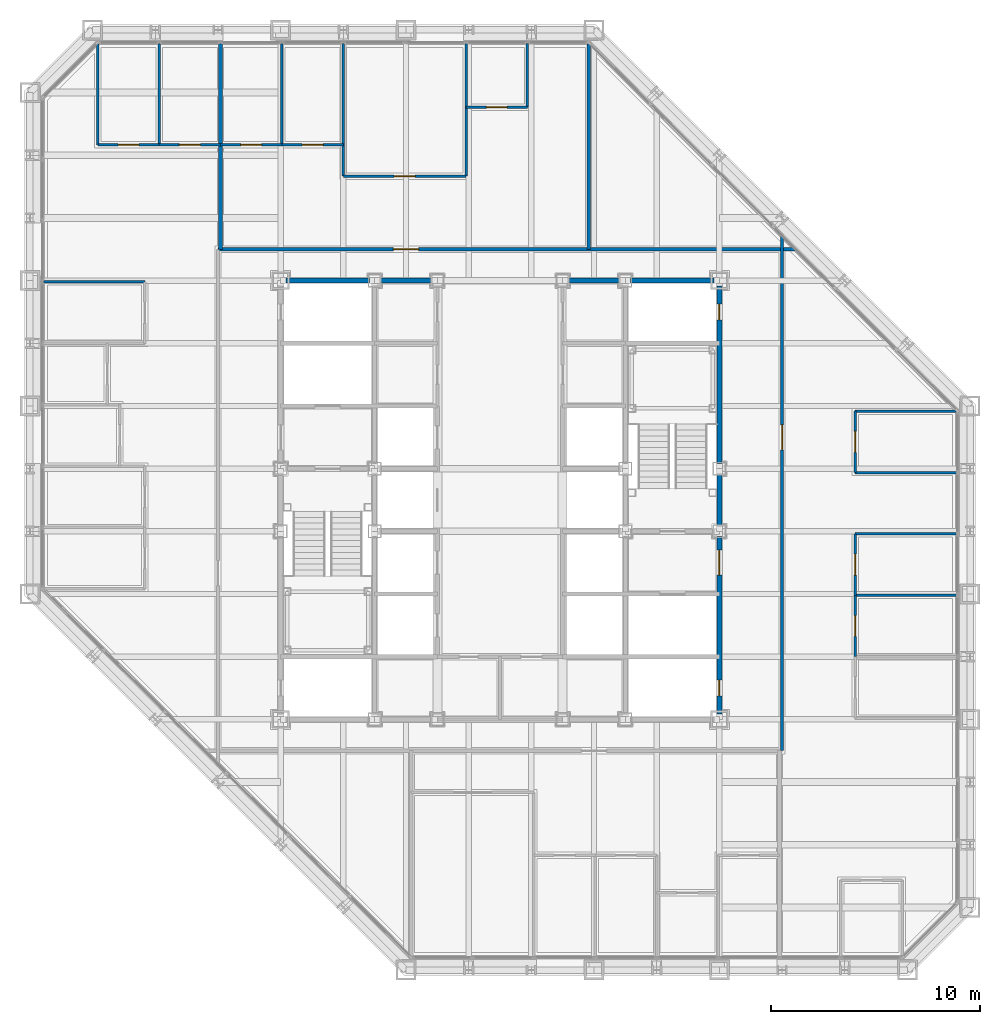
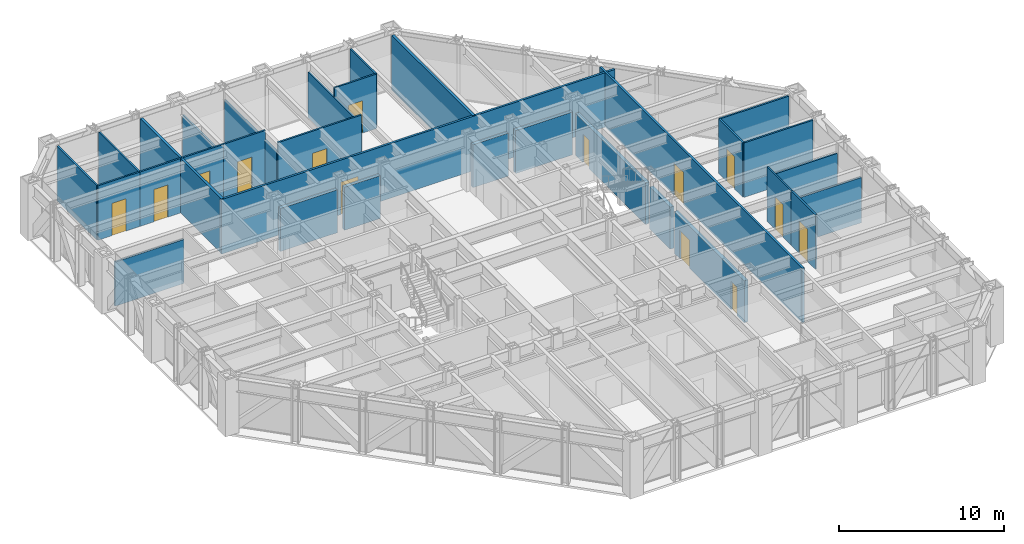
# One storey, part 12 of 16: 31 walls, 14 doors, 14 openings.
"""IFC4 building model written with IfcOpenShell, lengths in metres."""

from ifc_helpers import new_model, si_unit, direction, frame, frame_2d, origin, place, context, subcontext, project, spatial, rectangle, extrude, material, layer, layer_set, type_object, element, fill, save


model = new_model("IFC4")

# Units and contexts
model_context = context("Model", 3, precision=1e-05, world=origin(), true_north=direction((0.0, 1.0)))
body_context = subcontext(model_context, "Body", "Model", "MODEL_VIEW")
ifc_project = project(units=[si_unit("LENGTHUNIT", "METRE"), si_unit("AREAUNIT", "SQUARE_METRE"), si_unit("VOLUMEUNIT", "CUBIC_METRE"), si_unit("PLANEANGLEUNIT", "RADIAN"), si_unit("MASSUNIT", "GRAM", prefix="KILO")], contexts=[model_context])

# Site, building, storey
site_placement = place(None, origin())
site = spatial("IfcSite", under=ifc_project, at=site_placement, CompositionType="ELEMENT")
building_placement = place(site_placement, origin())
building = spatial("IfcBuilding", under=site, at=building_placement, Name="Chuquiago Exchange Tower", CompositionType="ELEMENT")
storey_placement = place(building_placement, frame((0.0, 0.0, 140.39990234375)))
storey = spatial("IfcBuildingStorey", under=building, at=storey_placement, Name="L30", CompositionType="ELEMENT", Elevation=140.39990234375)

# Walls
ifc_material_1 = material(Name="Concrete masonry, fully grouted", Category="masonry")
ifc_layer_1 = layer(ifc_material_1, 0.25)
ifc_layer_set_1 = layer_set([ifc_layer_1], Name="W1 core wall 250")
wall_type_1 = type_object("IfcWallType", Name="W1 core wall 250", PredefinedType="SOLIDWALL", material=ifc_layer_set_1)
wall_1_placement = place(storey_placement, frame((12.25, 33.0, 0.0), z_axis=(0.0, 0.0, 1.0), x_axis=(1.0, 0.0, 0.0)))
element("IfcWall", 1, at=wall_1_placement, inside=storey, type_object=wall_type_1, Name="CW-L30-11-0", PredefinedType="SOLIDWALL", context=body_context, shape_type="SweptSolid", body=[
    extrude(rectangle(XDim=4.0, YDim=0.25, at=frame_2d((2.0, 0.0))), origin(), (0.0, 0.0, 1.0), 3.181640625),
])
for number, where, z_axis, x_axis, name in (
    (2, (16.75, 33.0, 0.0), (0.0, 0.0, 1.0), (1.0, 0.0, 0.0), "CW-L30-11-1"),
    (3, (25.75, 33.0, 0.0), (0.0, 0.0, 1.0), (1.0, 0.0, 0.0), "CW-L30-12-0"),
):
    element("IfcWall", number, at=place(storey_placement, frame(where, z_axis=z_axis, x_axis=x_axis)), inside=storey, type_object=wall_type_1, Name=name, PredefinedType="SOLIDWALL", context=body_context, shape_type="SweptSolid", body=[
        extrude(rectangle(XDim=2.5, YDim=0.25, at=frame_2d((1.25, 0.0))), origin(), (0.0, 0.0, 1.0), 3.181640625),
    ])
wall_2_placement = place(storey_placement, frame((28.75, 33.0, 0.0), z_axis=(0.0, 0.0, 1.0), x_axis=(1.0, 0.0, 0.0)))
element("IfcWall", 4, at=wall_2_placement, inside=storey, type_object=wall_type_1, Name="CW-L30-12-1", PredefinedType="SOLIDWALL", context=body_context, shape_type="SweptSolid", body=[
    extrude(rectangle(XDim=4.0, YDim=0.25, at=frame_2d((2.0, 0.0))), origin(), (0.0, 0.0, 1.0), 3.181640625),
])

# Wall, openings, doors
wall_3_placement = place(storey_placement, frame((33.0, 12.25, 0.0), z_axis=(0.0, 0.0, 1.0), x_axis=(0.0, 1.0, 0.0)))
wall_3 = element("IfcWall", 5, at=wall_3_placement, inside=storey, type_object=wall_type_1, Name="CW-L30-25-0", PredefinedType="SOLIDWALL", context=body_context, shape_type="SweptSolid", body=[
    extrude(rectangle(XDim=8.5, YDim=0.25, at=frame_2d((4.25, 0.0))), origin(), (0.0, 0.0, 1.0), 3.113037109375),
])
opening_1_placement = place(wall_3_placement, frame((6.64990234375, 0.0, 0.0)))
opening_1 = element("IfcOpeningElement", 6, at=opening_1_placement, cuts=wall_3, Name="Opening L30-004", PredefinedType="OPENING", context=body_context, shape_type="SweptSolid", body=[
    extrude(rectangle(XDim=1.199951171875, YDim=2.10009765625, at=frame_2d((0.60009765625, 1.050048828125))), frame((0.0, 0.135009765625, 0.0), z_axis=(0.0, -1.0, 0.0), x_axis=(1.0, 0.0, 0.0)), (0.0, 0.0, 1.0), 0.27001953125),
])
opening_2_placement = place(wall_3_placement, frame((0.875, 0.0, 0.0)))
opening_2 = element("IfcOpeningElement", 7, at=opening_2_placement, cuts=wall_3, Name="Opening L30-009", PredefinedType="OPENING", context=body_context, shape_type="SweptSolid", body=[
    extrude(rectangle(XDim=0.75, YDim=2.10009765625, at=frame_2d((0.375, 1.050048828125))), frame((0.0, 0.135009765625, 0.0), z_axis=(0.0, -1.0, 0.0), x_axis=(1.0, 0.0, 0.0)), (0.0, 0.0, 1.0), 0.27001953125),
])
ifc_material_2 = material(Name="Steel door, painted", Category="steel")
door_type_1 = type_object("IfcDoorType", Name="D5 firefighting lobby door 1200x2100", OperationType="SINGLE_SWING_LEFT", PredefinedType="DOOR", material=ifc_material_2)
door_1_placement = place(opening_1_placement, origin())
door_1 = element("IfcDoor", 8, at=door_1_placement, inside=storey, type_object=door_type_1, Name="Firefighting lobby 2 door", OperationType="SINGLE_SWING_RIGHT", OverallHeight=2.10009765625, OverallWidth=1.199951171875, PredefinedType="DOOR", context=body_context, shape_type="SweptSolid", body=[
    extrude(rectangle(XDim=1.199951171875, YDim=2.10009765625, at=frame_2d((0.60009765625, 1.050048828125))), frame((0.0, 0.02490234375, 0.0), z_axis=(0.0, -1.0, 0.0), x_axis=(1.0, 0.0, 0.0)), (0.0, 0.0, 1.0), 0.050048828125),
])
fill(opening_1, door_1)
ifc_material_3 = material(Name="Steel door, painted", Category="steel")
door_type_2 = type_object("IfcDoorType", Name="D6 riser access door 750x2100", OperationType="SINGLE_SWING_LEFT", PredefinedType="DOOR", material=ifc_material_3)
door_2_placement = place(opening_2_placement, frame((0.75, 0.0, 0.0), z_axis=(0.0, 0.0, 1.0), x_axis=(-1.0, 0.0, 0.0)))
door_2 = element("IfcDoor", 9, at=door_2_placement, inside=storey, type_object=door_type_2, Name="Riser RE1 door", OperationType="SINGLE_SWING_RIGHT", OverallHeight=2.10009765625, OverallWidth=0.75, PredefinedType="DOOR", context=body_context, shape_type="SweptSolid", body=[
    extrude(rectangle(XDim=0.75, YDim=2.10009765625, at=frame_2d((0.375, 1.050048828125))), frame((0.0, 0.02490234375, 0.0), z_axis=(0.0, -1.0, 0.0), x_axis=(1.0, 0.0, 0.0)), (0.0, 0.0, 1.0), 0.050048828125),
])
fill(opening_2, door_2)

# Wall
wall_4_placement = place(storey_placement, frame((33.0, 21.25, 0.0), z_axis=(0.0, 0.0, 1.0), x_axis=(0.0, 1.0, 0.0)))
element("IfcWall", 10, at=wall_4_placement, inside=storey, type_object=wall_type_1, Name="CW-L30-25-1", PredefinedType="SOLIDWALL", context=body_context, shape_type="SweptSolid", body=[
    extrude(rectangle(XDim=2.5, YDim=0.25, at=frame_2d((1.25, 0.0))), origin(), (0.0, 0.0, 1.0), 3.113037109375),
])

# Wall, opening, door
wall_5_placement = place(storey_placement, frame((33.0, 24.25, 0.0), z_axis=(0.0, 0.0, 1.0), x_axis=(0.0, 1.0, 0.0)))
wall_5 = element("IfcWall", 11, at=wall_5_placement, inside=storey, type_object=wall_type_1, Name="CW-L30-25-2", PredefinedType="SOLIDWALL", context=body_context, shape_type="SweptSolid", body=[
    extrude(rectangle(XDim=8.5, YDim=0.25, at=frame_2d((4.25, 0.0))), origin(), (0.0, 0.0, 1.0), 3.113037109375),
])
opening_3_placement = place(wall_5_placement, frame((6.875, 0.0, 0.0)))
opening_3 = element("IfcOpeningElement", 12, at=opening_3_placement, cuts=wall_5, Name="Opening L30-010", PredefinedType="OPENING", context=body_context, shape_type="SweptSolid", body=[
    extrude(rectangle(XDim=0.75, YDim=2.10009765625, at=frame_2d((0.375, 1.050048828125))), frame((0.0, 0.135009765625, 0.0), z_axis=(0.0, -1.0, 0.0), x_axis=(1.0, 0.0, 0.0)), (0.0, 0.0, 1.0), 0.27001953125),
])
door_3_placement = place(opening_3_placement, frame((0.75, 0.0, 0.0), z_axis=(0.0, 0.0, 1.0), x_axis=(-1.0, 0.0, 0.0)))
door_3 = element("IfcDoor", 13, at=door_3_placement, inside=storey, type_object=door_type_2, Name="Riser RE2 door", OperationType="SINGLE_SWING_LEFT", OverallHeight=2.10009765625, OverallWidth=0.75, PredefinedType="DOOR", context=body_context, shape_type="SweptSolid", body=[
    extrude(rectangle(XDim=0.75, YDim=2.10009765625, at=frame_2d((0.375, 1.050048828125))), frame((0.0, 0.02490234375, 0.0), z_axis=(0.0, -1.0, 0.0), x_axis=(1.0, 0.0, 0.0)), (0.0, 0.0, 1.0), 0.050048828125),
])
fill(opening_3, door_3)

ifc_material_4 = material(Name="Gypsum board on steel studs, acoustic insulation", Category="steel")
ifc_layer_2 = layer(ifc_material_4, 0.14990234375)
ifc_layer_set_2 = layer_set([ifc_layer_2], Name="W11 corridor wall 150")
wall_type_2 = type_object("IfcWallType", Name="W11 corridor wall 150", PredefinedType="PARTITIONING", material=ifc_layer_set_2)
wall_6_placement = place(storey_placement, frame((9.0, 34.5, 0.0), z_axis=(0.0, 0.0, 1.0), x_axis=(1.0, 0.0, 0.0)))
wall_6 = element("IfcWall", 14, at=wall_6_placement, inside=storey, type_object=wall_type_2, Name="PW-L30-CN", PredefinedType="PARTITIONING", context=body_context, shape_type="SweptSolid", body=[
    extrude(rectangle(XDim=27.614501953125, YDim=0.14990234375, at=frame_2d((13.80712890625, 0.0))), origin(), (0.0, 0.0, 1.0), 4.0400390625),
])
opening_4_placement = place(wall_6_placement, frame((8.39990234375, 0.0, 0.0)))
opening_4 = element("IfcOpeningElement", 15, at=opening_4_placement, cuts=wall_6, Name="Opening L30-043", PredefinedType="OPENING", context=body_context, shape_type="SweptSolid", body=[
    extrude(rectangle(XDim=1.199951171875, YDim=2.39990234375, at=frame_2d((0.60009765625, 1.199951171875))), frame((0.0, 0.0849609375, 0.0), z_axis=(0.0, -1.0, 0.0), x_axis=(1.0, 0.0, 0.0)), (0.0, 0.0, 1.0), 0.169921875),
])
ifc_material_5 = material(Name="Timber door, laminate faced", Category="wood")
door_type_3 = type_object("IfcDoorType", Name="D13 suite entrance door 1200x2400", OperationType="SINGLE_SWING_LEFT", PredefinedType="DOOR", material=ifc_material_5)
door_4_placement = place(opening_4_placement, origin())
door_4 = element("IfcDoor", 16, at=door_4_placement, inside=storey, type_object=door_type_3, Name="North suite entrance door", OperationType="SINGLE_SWING_LEFT", OverallHeight=2.39990234375, OverallWidth=1.199951171875, PredefinedType="DOOR", context=body_context, shape_type="SweptSolid", body=[
    extrude(rectangle(XDim=1.199951171875, YDim=2.39990234375, at=frame_2d((0.60009765625, 1.199951171875))), frame((0.0, 0.02490234375, 0.0), z_axis=(0.0, -1.0, 0.0), x_axis=(1.0, 0.0, 0.0)), (0.0, 0.0, 1.0), 0.050048828125),
])
fill(opening_4, door_4)

wall_7_placement = place(storey_placement, frame((36.0, 10.5, 0.0), z_axis=(0.0, 0.0, 1.0), x_axis=(0.0, 1.0, 0.0)))
wall_7 = element("IfcWall", 17, at=wall_7_placement, inside=storey, type_object=wall_type_2, Name="PW-L30-CE", PredefinedType="PARTITIONING", context=body_context, shape_type="SweptSolid", body=[
    extrude(rectangle(XDim=24.614501953125, YDim=0.14990234375, at=frame_2d((12.30712890625, 0.0))), origin(), (0.0, 0.0, 1.0), 4.0400390625),
])
opening_5_placement = place(wall_7_placement, frame((14.39990234375, 0.0, 0.0)))
opening_5 = element("IfcOpeningElement", 18, at=opening_5_placement, cuts=wall_7, Name="Opening L30-045", PredefinedType="OPENING", context=body_context, shape_type="SweptSolid", body=[
    extrude(rectangle(XDim=1.199951171875, YDim=2.39990234375, at=frame_2d((0.60009765625, 1.199951171875))), frame((0.0, 0.0849609375, 0.0), z_axis=(0.0, -1.0, 0.0), x_axis=(1.0, 0.0, 0.0)), (0.0, 0.0, 1.0), 0.169921875),
])
door_5_placement = place(opening_5_placement, frame((1.199951171875, 0.0, 0.0), z_axis=(0.0, 0.0, 1.0), x_axis=(-1.0, 0.0, 0.0)))
door_5 = element("IfcDoor", 19, at=door_5_placement, inside=storey, type_object=door_type_3, Name="East suite entrance door", OperationType="SINGLE_SWING_LEFT", OverallHeight=2.39990234375, OverallWidth=1.199951171875, PredefinedType="DOOR", context=body_context, shape_type="SweptSolid", body=[
    extrude(rectangle(XDim=1.199951171875, YDim=2.39990234375, at=frame_2d((0.60009765625, 1.199951171875))), frame((0.0, 0.02490234375, 0.0), z_axis=(0.0, -1.0, 0.0), x_axis=(1.0, 0.0, 0.0)), (0.0, 0.0, 1.0), 0.050048828125),
])
fill(opening_5, door_5)

# Walls
ifc_material_6 = material(Name="Gypsum board on twin steel studs, acoustic insulation", Category="steel")
ifc_layer_3 = layer(ifc_material_6, 0.175048828125)
ifc_layer_set_3 = layer_set([ifc_layer_3], Name="W12 tenant demising wall 175")
wall_type_3 = type_object("IfcWallType", Name="W12 tenant demising wall 175", PredefinedType="PARTITIONING", material=ifc_layer_set_3)
wall_8_placement = place(storey_placement, frame((9.124267578125, 44.347412109375, 0.0), z_axis=(0.0, 0.0, 1.0), x_axis=(0.0, -1.0, 0.0)))
element("IfcWall", 20, at=wall_8_placement, inside=storey, type_object=wall_type_3, Name="PW-L30-DN00912", PredefinedType="PARTITIONING", context=body_context, shape_type="SweptSolid", body=[
    extrude(rectangle(XDim=9.847412109375, YDim=0.175048828125, at=frame_2d((4.923828125, 0.0))), origin(), (0.0, 0.0, 1.0), 4.0400390625),
])
wall_9_placement = place(storey_placement, frame((26.75146484375, 44.333984375, 0.0), z_axis=(0.0, 0.0, 1.0), x_axis=(0.0, -1.0, 0.0)))
element("IfcWall", 21, at=wall_9_placement, inside=storey, type_object=wall_type_3, Name="PW-L30-DN02675", PredefinedType="PARTITIONING", context=body_context, shape_type="SweptSolid", body=[
    extrude(rectangle(XDim=9.833984375, YDim=0.175048828125, at=frame_2d((4.9169921875, 0.0))), origin(), (0.0, 0.0, 1.0), 4.0400390625),
])
ifc_material_7 = material(Name="Gypsum board on steel studs", Category="steel")
ifc_layer_4 = layer(ifc_material_7, 0.1201171875)
ifc_layer_set_4 = layer_set([ifc_layer_4], Name="W4 partition 120")
wall_type_4 = type_object("IfcWallType", Name="W4 partition 120", PredefinedType="PARTITIONING", material=ifc_layer_set_4)
for number, where, z_axis, x_axis, name in (
    (22, (44.347412109375, 17.93798828125, 0.0), (0.0, 0.0, 1.0), (-1.0, 0.0, 0.0), "PW-L30-E01794"),
    (23, (44.347412109375, 20.875732421875, 0.0), (0.0, 0.0, 1.0), (-1.0, 0.0, 0.0), "PW-L30-E02088"),
):
    element("IfcWall", number, at=place(storey_placement, frame(where, z_axis=z_axis, x_axis=x_axis)), inside=storey, type_object=wall_type_4, Name=name, PredefinedType="PARTITIONING", context=body_context, shape_type="SweptSolid", body=[
        extrude(rectangle(XDim=4.847412109375, YDim=0.1201171875, at=frame_2d((2.423828125, 0.0))), origin(), (0.0, 0.0, 1.0), 3.35693359375),
    ])
wall_10_placement = place(storey_placement, frame((44.347412109375, 23.813720703125, 0.0), z_axis=(0.0, 0.0, 1.0), x_axis=(-1.0, 0.0, 0.0)))
element("IfcWall", 24, at=wall_10_placement, inside=storey, type_object=wall_type_4, Name="PW-L30-E02381", PredefinedType="PARTITIONING", context=body_context, shape_type="SweptSolid", body=[
    extrude(rectangle(XDim=4.847412109375, YDim=0.1201171875, at=frame_2d((2.423828125, 0.0))), origin(), (0.0, 0.0, 1.0), 4.0400390625),
])
wall_11_placement = place(storey_placement, frame((44.333984375, 26.75146484375, 0.0), z_axis=(0.0, 0.0, 1.0), x_axis=(-1.0, 0.0, 0.0)))
element("IfcWall", 25, at=wall_11_placement, inside=storey, type_object=wall_type_4, Name="PW-L30-E02675", PredefinedType="PARTITIONING", context=body_context, shape_type="SweptSolid", body=[
    extrude(rectangle(XDim=4.833984375, YDim=0.1201171875, at=frame_2d((2.4169921875, 0.0))), origin(), (0.0, 0.0, 1.0), 4.0400390625),
])

# Wall, opening, door
wall_12_placement = place(storey_placement, frame((39.5, 15.0, 0.0), z_axis=(0.0, 0.0, 1.0), x_axis=(0.0, 1.0, 0.0)))
wall_12 = element("IfcWall", 26, at=wall_12_placement, inside=storey, type_object=wall_type_4, Name="PW-L30-EF01500", PredefinedType="PARTITIONING", context=body_context, shape_type="SweptSolid", body=[
    extrude(rectangle(XDim=2.93798828125, YDim=0.1201171875, at=frame_2d((1.468994140625, 0.0))), origin(), (0.0, 0.0, 1.0), 4.0400390625),
])
opening_6_placement = place(wall_12_placement, frame((0.968994140625, 0.0, 0.0)))
opening_6 = element("IfcOpeningElement", 27, at=opening_6_placement, cuts=wall_12, Name="Opening L30-028", PredefinedType="OPENING", context=body_context, shape_type="SweptSolid", body=[
    extrude(rectangle(XDim=1.0, YDim=2.39990234375, at=frame_2d((0.5, 1.199951171875))), frame((0.0, 0.070068359375, 0.0), z_axis=(0.0, -1.0, 0.0), x_axis=(1.0, 0.0, 0.0)), (0.0, 0.0, 1.0), 0.14013671875),
])
ifc_material_8 = material(Name="Timber door, laminate faced", Category="wood")
door_type_4 = type_object("IfcDoorType", Name="D9 room door 1000x2400", OperationType="SINGLE_SWING_LEFT", PredefinedType="DOOR", material=ifc_material_8)
door_6_placement = place(opening_6_placement, frame((1.0, 0.0, 0.0), z_axis=(0.0, 0.0, 1.0), x_axis=(-1.0, 0.0, 0.0)))
door_6 = element("IfcDoor", 28, at=door_6_placement, inside=storey, type_object=door_type_4, Name="Office door", OperationType="SINGLE_SWING_RIGHT", OverallHeight=2.39990234375, OverallWidth=1.0, PredefinedType="DOOR", context=body_context, shape_type="SweptSolid", body=[
    extrude(rectangle(XDim=1.0, YDim=2.39990234375, at=frame_2d((0.5, 1.199951171875))), frame((0.0, 0.02490234375, 0.0), z_axis=(0.0, -1.0, 0.0), x_axis=(1.0, 0.0, 0.0)), (0.0, 0.0, 1.0), 0.050048828125),
])
fill(opening_6, door_6)

wall_13_placement = place(storey_placement, frame((39.5, 17.93798828125, 0.0), z_axis=(0.0, 0.0, 1.0), x_axis=(0.0, 1.0, 0.0)))
wall_13 = element("IfcWall", 29, at=wall_13_placement, inside=storey, type_object=wall_type_4, Name="PW-L30-EF01794", PredefinedType="PARTITIONING", context=body_context, shape_type="SweptSolid", body=[
    extrude(rectangle(XDim=2.937744140625, YDim=0.1201171875, at=frame_2d((1.46875, 0.0))), origin(), (0.0, 0.0, 1.0), 4.0400390625),
])
opening_7_placement = place(wall_13_placement, frame((0.968994140625, 0.0, 0.0)))
opening_7 = element("IfcOpeningElement", 30, at=opening_7_placement, cuts=wall_13, Name="Opening L30-029", PredefinedType="OPENING", context=body_context, shape_type="SweptSolid", body=[
    extrude(rectangle(XDim=1.0, YDim=2.39990234375, at=frame_2d((0.5, 1.199951171875))), frame((0.0, 0.070068359375, 0.0), z_axis=(0.0, -1.0, 0.0), x_axis=(1.0, 0.0, 0.0)), (0.0, 0.0, 1.0), 0.14013671875),
])
ifc_material_9 = material(Name="Timber frame door, full height glazed panel", Category="wood")
door_type_5 = type_object("IfcDoorType", Name="D14 glazed meeting room door 1000x2400", OperationType="SINGLE_SWING_LEFT", PredefinedType="DOOR", material=ifc_material_9)
door_7_placement = place(opening_7_placement, frame((1.0, 0.0, 0.0), z_axis=(0.0, 0.0, 1.0), x_axis=(-1.0, 0.0, 0.0)))
door_7 = element("IfcDoor", 31, at=door_7_placement, inside=storey, type_object=door_type_5, Name="Meeting room door", OperationType="SINGLE_SWING_LEFT", OverallHeight=2.39990234375, OverallWidth=1.0, PredefinedType="DOOR", context=body_context, shape_type="SweptSolid", body=[
    extrude(rectangle(XDim=1.0, YDim=2.39990234375, at=frame_2d((0.5, 1.199951171875))), frame((0.0, 0.02490234375, 0.0), z_axis=(0.0, -1.0, 0.0), x_axis=(1.0, 0.0, 0.0)), (0.0, 0.0, 1.0), 0.050048828125),
])
fill(opening_7, door_7)

wall_14_placement = place(storey_placement, frame((39.5, 23.813720703125, 0.0), z_axis=(0.0, 0.0, 1.0), x_axis=(0.0, 1.0, 0.0)))
wall_14 = element("IfcWall", 32, at=wall_14_placement, inside=storey, type_object=wall_type_4, Name="PW-L30-EF02381", PredefinedType="PARTITIONING", context=body_context, shape_type="SweptSolid", body=[
    extrude(rectangle(XDim=2.937744140625, YDim=0.1201171875, at=frame_2d((1.46875, 0.0))), origin(), (0.0, 0.0, 1.0), 4.0400390625),
])
opening_8_placement = place(wall_14_placement, frame((0.968994140625, 0.0, 0.0)))
opening_8 = element("IfcOpeningElement", 33, at=opening_8_placement, cuts=wall_14, Name="Opening L30-030", PredefinedType="OPENING", context=body_context, shape_type="SweptSolid", body=[
    extrude(rectangle(XDim=1.0, YDim=2.39990234375, at=frame_2d((0.5, 1.199951171875))), frame((0.0, 0.070068359375, 0.0), z_axis=(0.0, -1.0, 0.0), x_axis=(1.0, 0.0, 0.0)), (0.0, 0.0, 1.0), 0.14013671875),
])
door_8_placement = place(opening_8_placement, frame((1.0, 0.0, 0.0), z_axis=(0.0, 0.0, 1.0), x_axis=(-1.0, 0.0, 0.0)))
door_8 = element("IfcDoor", 34, at=door_8_placement, inside=storey, type_object=door_type_4, Name="Office door", OperationType="SINGLE_SWING_RIGHT", OverallHeight=2.39990234375, OverallWidth=1.0, PredefinedType="DOOR", context=body_context, shape_type="SweptSolid", body=[
    extrude(rectangle(XDim=1.0, YDim=2.39990234375, at=frame_2d((0.5, 1.199951171875))), frame((0.0, 0.02490234375, 0.0), z_axis=(0.0, -1.0, 0.0), x_axis=(1.0, 0.0, 0.0)), (0.0, 0.0, 1.0), 0.050048828125),
])
fill(opening_8, door_8)

# Walls
wall_15_placement = place(storey_placement, frame((3.24853515625, 44.333984375, 0.0), z_axis=(0.0, 0.0, 1.0), x_axis=(0.0, -1.0, 0.0)))
element("IfcWall", 35, at=wall_15_placement, inside=storey, type_object=wall_type_4, Name="PW-L30-N00325", PredefinedType="PARTITIONING", context=body_context, shape_type="SweptSolid", body=[
    extrude(rectangle(XDim=4.833984375, YDim=0.1201171875, at=frame_2d((2.4169921875, 0.0))), origin(), (0.0, 0.0, 1.0), 4.0400390625),
])
wall_16_placement = place(storey_placement, frame((6.186279296875, 44.347412109375, 0.0), z_axis=(0.0, 0.0, 1.0), x_axis=(0.0, -1.0, 0.0)))
element("IfcWall", 36, at=wall_16_placement, inside=storey, type_object=wall_type_4, Name="PW-L30-N00619", PredefinedType="PARTITIONING", context=body_context, shape_type="SweptSolid", body=[
    extrude(rectangle(XDim=4.847412109375, YDim=0.1201171875, at=frame_2d((2.423828125, 0.0))), origin(), (0.0, 0.0, 1.0), 4.0400390625),
])
wall_17_placement = place(storey_placement, frame((12.06201171875, 44.347412109375, 0.0), z_axis=(0.0, 0.0, 1.0), x_axis=(0.0, -1.0, 0.0)))
element("IfcWall", 37, at=wall_17_placement, inside=storey, type_object=wall_type_4, Name="PW-L30-N01206", PredefinedType="PARTITIONING", context=body_context, shape_type="SweptSolid", body=[
    extrude(rectangle(XDim=4.847412109375, YDim=0.1201171875, at=frame_2d((2.423828125, 0.0))), origin(), (0.0, 0.0, 1.0), 3.2705078125),
])
for number, where, z_axis, x_axis, name in (
    (38, (15.0, 44.347412109375, 0.0), (0.0, 0.0, 1.0), (0.0, -1.0, 0.0), "PW-L30-N01500"),
    (39, (20.875732421875, 44.347412109375, 0.0), (0.0, 0.0, 1.0), (0.0, -1.0, 0.0), "PW-L30-N02088"),
):
    element("IfcWall", number, at=place(storey_placement, frame(where, z_axis=z_axis, x_axis=x_axis)), inside=storey, type_object=wall_type_4, Name=name, PredefinedType="PARTITIONING", context=body_context, shape_type="SweptSolid", body=[
        extrude(rectangle(XDim=6.347412109375, YDim=0.1201171875, at=frame_2d((3.173828125, 0.0))), origin(), (0.0, 0.0, 1.0), 3.35693359375),
    ])
wall_18_placement = place(storey_placement, frame((23.813720703125, 44.347412109375, 0.0), z_axis=(0.0, 0.0, 1.0), x_axis=(0.0, -1.0, 0.0)))
element("IfcWall", 40, at=wall_18_placement, inside=storey, type_object=wall_type_4, Name="PW-L30-N02381", PredefinedType="PARTITIONING", context=body_context, shape_type="SweptSolid", body=[
    extrude(rectangle(XDim=3.04736328125, YDim=0.1201171875, at=frame_2d((1.523681640625, 0.0))), origin(), (0.0, 0.0, 1.0), 4.0400390625),
])

# Wall, opening, door
wall_19_placement = place(storey_placement, frame((3.24853515625, 39.5, 0.0), z_axis=(0.0, 0.0, 1.0), x_axis=(1.0, 0.0, 0.0)))
wall_19 = element("IfcWall", 41, at=wall_19_placement, inside=storey, type_object=wall_type_4, Name="PW-L30-NF00325", PredefinedType="PARTITIONING", context=body_context, shape_type="SweptSolid", body=[
    extrude(rectangle(XDim=2.937744140625, YDim=0.1201171875, at=frame_2d((1.46875, 0.0))), origin(), (0.0, 0.0, 1.0), 4.0400390625),
])
opening_9_placement = place(wall_19_placement, frame((0.968994140625, 0.0, 0.0)))
opening_9 = element("IfcOpeningElement", 42, at=opening_9_placement, cuts=wall_19, Name="Opening L30-031", PredefinedType="OPENING", context=body_context, shape_type="SweptSolid", body=[
    extrude(rectangle(XDim=1.0, YDim=2.39990234375, at=frame_2d((0.5, 1.199951171875))), frame((0.0, 0.070068359375, 0.0), z_axis=(0.0, -1.0, 0.0), x_axis=(1.0, 0.0, 0.0)), (0.0, 0.0, 1.0), 0.14013671875),
])
door_9_placement = place(opening_9_placement, origin())
door_9 = element("IfcDoor", 43, at=door_9_placement, inside=storey, type_object=door_type_4, Name="Office door", OperationType="SINGLE_SWING_LEFT", OverallHeight=2.39990234375, OverallWidth=1.0, PredefinedType="DOOR", context=body_context, shape_type="SweptSolid", body=[
    extrude(rectangle(XDim=1.0, YDim=2.39990234375, at=frame_2d((0.5, 1.199951171875))), frame((0.0, 0.02490234375, 0.0), z_axis=(0.0, -1.0, 0.0), x_axis=(1.0, 0.0, 0.0)), (0.0, 0.0, 1.0), 0.050048828125),
])
fill(opening_9, door_9)

wall_20_placement = place(storey_placement, frame((6.186279296875, 39.5, 0.0), z_axis=(0.0, 0.0, 1.0), x_axis=(1.0, 0.0, 0.0)))
wall_20 = element("IfcWall", 44, at=wall_20_placement, inside=storey, type_object=wall_type_4, Name="PW-L30-NF00619", PredefinedType="PARTITIONING", context=body_context, shape_type="SweptSolid", body=[
    extrude(rectangle(XDim=2.93798828125, YDim=0.1201171875, at=frame_2d((1.468994140625, 0.0))), origin(), (0.0, 0.0, 1.0), 4.0400390625),
])
opening_10_placement = place(wall_20_placement, frame((0.968994140625, 0.0, 0.0)))
opening_10 = element("IfcOpeningElement", 45, at=opening_10_placement, cuts=wall_20, Name="Opening L30-032", PredefinedType="OPENING", context=body_context, shape_type="SweptSolid", body=[
    extrude(rectangle(XDim=1.0, YDim=2.39990234375, at=frame_2d((0.5, 1.199951171875))), frame((0.0, 0.070068359375, 0.0), z_axis=(0.0, -1.0, 0.0), x_axis=(1.0, 0.0, 0.0)), (0.0, 0.0, 1.0), 0.14013671875),
])
door_10_placement = place(opening_10_placement, origin())
door_10 = element("IfcDoor", 46, at=door_10_placement, inside=storey, type_object=door_type_4, Name="Office door", OperationType="SINGLE_SWING_RIGHT", OverallHeight=2.39990234375, OverallWidth=1.0, PredefinedType="DOOR", context=body_context, shape_type="SweptSolid", body=[
    extrude(rectangle(XDim=1.0, YDim=2.39990234375, at=frame_2d((0.5, 1.199951171875))), frame((0.0, 0.02490234375, 0.0), z_axis=(0.0, -1.0, 0.0), x_axis=(1.0, 0.0, 0.0)), (0.0, 0.0, 1.0), 0.050048828125),
])
fill(opening_10, door_10)

wall_21_placement = place(storey_placement, frame((9.124267578125, 39.5, 0.0), z_axis=(0.0, 0.0, 1.0), x_axis=(1.0, 0.0, 0.0)))
wall_21 = element("IfcWall", 47, at=wall_21_placement, inside=storey, type_object=wall_type_4, Name="PW-L30-NF00912", PredefinedType="PARTITIONING", context=body_context, shape_type="SweptSolid", body=[
    extrude(rectangle(XDim=2.937744140625, YDim=0.1201171875, at=frame_2d((1.46875, 0.0))), origin(), (0.0, 0.0, 1.0), 4.0400390625),
])
opening_11_placement = place(wall_21_placement, frame((0.968994140625, 0.0, 0.0)))
opening_11 = element("IfcOpeningElement", 48, at=opening_11_placement, cuts=wall_21, Name="Opening L30-033", PredefinedType="OPENING", context=body_context, shape_type="SweptSolid", body=[
    extrude(rectangle(XDim=1.0, YDim=2.39990234375, at=frame_2d((0.5, 1.199951171875))), frame((0.0, 0.070068359375, 0.0), z_axis=(0.0, -1.0, 0.0), x_axis=(1.0, 0.0, 0.0)), (0.0, 0.0, 1.0), 0.14013671875),
])
door_11_placement = place(opening_11_placement, origin())
door_11 = element("IfcDoor", 49, at=door_11_placement, inside=storey, type_object=door_type_4, Name="Office door", OperationType="SINGLE_SWING_LEFT", OverallHeight=2.39990234375, OverallWidth=1.0, PredefinedType="DOOR", context=body_context, shape_type="SweptSolid", body=[
    extrude(rectangle(XDim=1.0, YDim=2.39990234375, at=frame_2d((0.5, 1.199951171875))), frame((0.0, 0.02490234375, 0.0), z_axis=(0.0, -1.0, 0.0), x_axis=(1.0, 0.0, 0.0)), (0.0, 0.0, 1.0), 0.050048828125),
])
fill(opening_11, door_11)

wall_22_placement = place(storey_placement, frame((12.06201171875, 39.5, 0.0), z_axis=(0.0, 0.0, 1.0), x_axis=(1.0, 0.0, 0.0)))
wall_22 = element("IfcWall", 50, at=wall_22_placement, inside=storey, type_object=wall_type_4, Name="PW-L30-NF01206", PredefinedType="PARTITIONING", context=body_context, shape_type="SweptSolid", body=[
    extrude(rectangle(XDim=2.93798828125, YDim=0.1201171875, at=frame_2d((1.468994140625, 0.0))), origin(), (0.0, 0.0, 1.0), 4.0400390625),
])
opening_12_placement = place(wall_22_placement, frame((0.968994140625, 0.0, 0.0)))
opening_12 = element("IfcOpeningElement", 51, at=opening_12_placement, cuts=wall_22, Name="Opening L30-034", PredefinedType="OPENING", context=body_context, shape_type="SweptSolid", body=[
    extrude(rectangle(XDim=1.0, YDim=2.39990234375, at=frame_2d((0.5, 1.199951171875))), frame((0.0, 0.070068359375, 0.0), z_axis=(0.0, -1.0, 0.0), x_axis=(1.0, 0.0, 0.0)), (0.0, 0.0, 1.0), 0.14013671875),
])
door_12_placement = place(opening_12_placement, origin())
door_12 = element("IfcDoor", 52, at=door_12_placement, inside=storey, type_object=door_type_4, Name="Office door", OperationType="SINGLE_SWING_RIGHT", OverallHeight=2.39990234375, OverallWidth=1.0, PredefinedType="DOOR", context=body_context, shape_type="SweptSolid", body=[
    extrude(rectangle(XDim=1.0, YDim=2.39990234375, at=frame_2d((0.5, 1.199951171875))), frame((0.0, 0.02490234375, 0.0), z_axis=(0.0, -1.0, 0.0), x_axis=(1.0, 0.0, 0.0)), (0.0, 0.0, 1.0), 0.050048828125),
])
fill(opening_12, door_12)

wall_23_placement = place(storey_placement, frame((15.0, 38.0, 0.0), z_axis=(0.0, 0.0, 1.0), x_axis=(1.0, 0.0, 0.0)))
wall_23 = element("IfcWall", 53, at=wall_23_placement, inside=storey, type_object=wall_type_4, Name="PW-L30-NF01500", PredefinedType="PARTITIONING", context=body_context, shape_type="SweptSolid", body=[
    extrude(rectangle(XDim=5.875732421875, YDim=0.1201171875, at=frame_2d((2.93798828125, 0.0))), origin(), (0.0, 0.0, 1.0), 4.0400390625),
])
opening_13_placement = place(wall_23_placement, frame((2.437744140625, 0.0, 0.0)))
opening_13 = element("IfcOpeningElement", 54, at=opening_13_placement, cuts=wall_23, Name="Opening L30-035", PredefinedType="OPENING", context=body_context, shape_type="SweptSolid", body=[
    extrude(rectangle(XDim=1.0, YDim=2.39990234375, at=frame_2d((0.5, 1.199951171875))), frame((0.0, 0.070068359375, 0.0), z_axis=(0.0, -1.0, 0.0), x_axis=(1.0, 0.0, 0.0)), (0.0, 0.0, 1.0), 0.14013671875),
])
door_13_placement = place(opening_13_placement, origin())
door_13 = element("IfcDoor", 55, at=door_13_placement, inside=storey, type_object=door_type_5, Name="Conference room door", OperationType="SINGLE_SWING_LEFT", OverallHeight=2.39990234375, OverallWidth=1.0, PredefinedType="DOOR", context=body_context, shape_type="SweptSolid", body=[
    extrude(rectangle(XDim=1.0, YDim=2.39990234375, at=frame_2d((0.5, 1.199951171875))), frame((0.0, 0.02490234375, 0.0), z_axis=(0.0, -1.0, 0.0), x_axis=(1.0, 0.0, 0.0)), (0.0, 0.0, 1.0), 0.050048828125),
])
fill(opening_13, door_13)

wall_24_placement = place(storey_placement, frame((20.875732421875, 41.300048828125, 0.0), z_axis=(0.0, 0.0, 1.0), x_axis=(1.0, 0.0, 0.0)))
wall_24 = element("IfcWall", 56, at=wall_24_placement, inside=storey, type_object=wall_type_4, Name="PW-L30-NF02088", PredefinedType="PARTITIONING", context=body_context, shape_type="SweptSolid", body=[
    extrude(rectangle(XDim=2.93798828125, YDim=0.1201171875, at=frame_2d((1.468994140625, 0.0))), origin(), (0.0, 0.0, 1.0), 4.0400390625),
])
opening_14_placement = place(wall_24_placement, frame((0.968994140625, 0.0, 0.0)))
opening_14 = element("IfcOpeningElement", 57, at=opening_14_placement, cuts=wall_24, Name="Opening L30-036", PredefinedType="OPENING", context=body_context, shape_type="SweptSolid", body=[
    extrude(rectangle(XDim=1.0, YDim=2.39990234375, at=frame_2d((0.5, 1.199951171875))), frame((0.0, 0.070068359375, 0.0), z_axis=(0.0, -1.0, 0.0), x_axis=(1.0, 0.0, 0.0)), (0.0, 0.0, 1.0), 0.14013671875),
])
door_14_placement = place(opening_14_placement, origin())
door_14 = element("IfcDoor", 58, at=door_14_placement, inside=storey, type_object=door_type_5, Name="Focus room door", OperationType="SINGLE_SWING_RIGHT", OverallHeight=2.39990234375, OverallWidth=1.0, PredefinedType="DOOR", context=body_context, shape_type="SweptSolid", body=[
    extrude(rectangle(XDim=1.0, YDim=2.39990234375, at=frame_2d((0.5, 1.199951171875))), frame((0.0, 0.02490234375, 0.0), z_axis=(0.0, -1.0, 0.0), x_axis=(1.0, 0.0, 0.0)), (0.0, 0.0, 1.0), 0.050048828125),
])
fill(opening_14, door_14)

# Wall
wall_25_placement = place(storey_placement, frame((0.652587890625, 32.93798828125, 0.0), z_axis=(0.0, 0.0, 1.0), x_axis=(1.0, 0.0, 0.0)))
element("IfcWall", 59, at=wall_25_placement, inside=storey, type_object=wall_type_4, Name="PW-L30-W03294", PredefinedType="PARTITIONING", context=body_context, shape_type="SweptSolid", body=[
    extrude(rectangle(XDim=4.847412109375, YDim=0.1201171875, at=frame_2d((2.423828125, 0.0))), origin(), (0.0, 0.0, 1.0), 3.2705078125),
])

save(model, "model.ifc")
